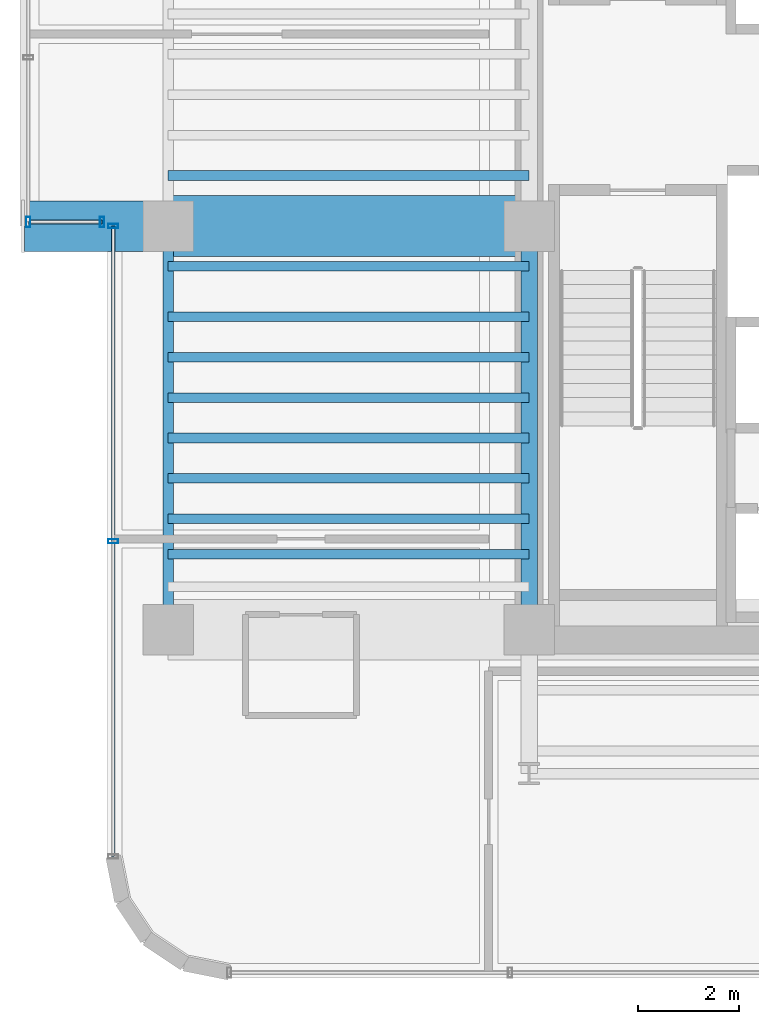
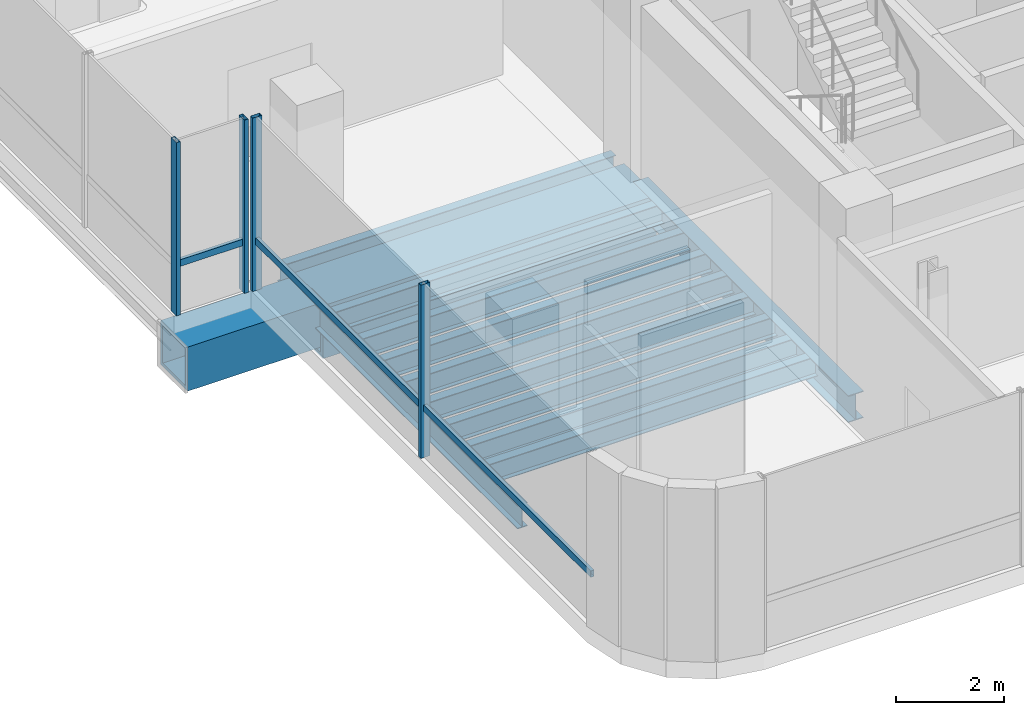
# One storey, part 4 of 37: 13 beams, 6 members, 2 elements without a shape of their own.
"""IFC4 building model written with IfcOpenShell, lengths in metres."""

from ifc_helpers import new_model, si_unit, direction, frame, origin, origin_2d, place, context, subcontext, project, spatial, hollow_rectangle, i_section, extrude, source, transform, mapped, material, material_profile, profile_set, type_object, element, aggregate, save


model = new_model("IFC4")

# Units and contexts
model_context = context("Model", 3, precision=1e-05, world=origin(), true_north=direction((0.0, 1.0)))
body_context = subcontext(model_context, "Body", "Model", "MODEL_VIEW")
ifc_project = project(units=[si_unit("LENGTHUNIT", "METRE"), si_unit("AREAUNIT", "SQUARE_METRE"), si_unit("VOLUMEUNIT", "CUBIC_METRE"), si_unit("PLANEANGLEUNIT", "RADIAN"), si_unit("MASSUNIT", "GRAM", prefix="KILO")], contexts=[model_context])

# Site, building, storey
site_placement = place(None, origin())
site = spatial("IfcSite", under=ifc_project, at=site_placement, CompositionType="ELEMENT")
building_placement = place(site_placement, origin())
building = spatial("IfcBuilding", under=site, at=building_placement, Name="Valdorenza Pilgrim Sanctuary Tower", CompositionType="ELEMENT")
storey_placement = place(building_placement, frame((0.0, 0.0, 172.300048828125)))
storey = spatial("IfcBuildingStorey", under=building, at=storey_placement, Name="L44", CompositionType="ELEMENT", Elevation=172.300048828125)

# Beams
ifc_material_1 = material(Name="Steel ASTM A992 Grade 50", Category="steel")
ifc_material_profile_1 = material_profile(ifc_material_1, i_section(OverallWidth=0.323974609375, OverallDepth=0.611083984375, WebThickness=0.0126953125, FlangeThickness=0.01904296875, at=origin_2d()), Name="W24X104")
ifc_profile_set_1 = profile_set([ifc_material_profile_1], Name="Steel ASTM A992 Grade 50")
beam_type_1 = type_object("IfcBeamType", Name="STR-BM-GRD-W24B", PredefinedType="BEAM", material=ifc_profile_set_1)
shared_shape_1 = source(origin(), body_context, "Body", "SweptSolid", [
    extrude(i_section(OverallWidth=0.323974609375, OverallDepth=0.611083984375, WebThickness=0.0126953125, FlangeThickness=0.01904296875, at=origin_2d()), origin(), (0.0, 0.0, 1.0), 8.0),
])
beam_1_placement = place(storey_placement, frame((-22.64990234375, -10.60009765625, -0.70556640625), z_axis=(0.0, 1.0, 0.0), x_axis=(-1.0, 0.0, 0.0)))
element("IfcBeam", 1, at=beam_1_placement, inside=storey, type_object=beam_type_1, Name="L44 Core Tie Girder CA-W-S1M0", PredefinedType="BEAM", context=body_context, shape_type="MappedRepresentation", body=[
    mapped(shared_shape_1, transform((0.0, 0.0, 0.0), x_axis=(1.0, 0.0, 0.0), y_axis=(0.0, 1.0, 0.0), z_axis=(0.0, 0.0, 1.0), scale=1.0)),
])
ifc_material_2 = material(Name="Steel ASTM A572 Grade 42", Category="steel")
ifc_material_profile_2 = material_profile(ifc_material_2, hollow_rectangle(XDim=1.199951171875, YDim=1.199951171875, WallThickness=0.090087890625, at=origin_2d()), Name="BOX 1200x1200x90")
ifc_profile_set_2 = profile_set([ifc_material_profile_2], Name="Steel ASTM A572 Grade 42")
beam_type_2 = type_object("IfcBeamType", Name="STR-BM-TRF-1200", PredefinedType="BEAM", material=ifc_profile_set_2)
shared_shape_2 = source(origin(), body_context, "Body", "SweptSolid", [
    extrude(hollow_rectangle(XDim=1.199951171875, YDim=1.199951171875, WallThickness=0.090087890625, at=origin_2d()), origin(), (0.0, 0.0, 1.0), 7.150146484375),
])
beam_2_placement = place(storey_placement, frame((-29.800048828125, -2.60009765625, -1.0), z_axis=(1.0, 0.0, 0.0), x_axis=(0.0, 1.0, 0.0)))
element("IfcBeam", 2, at=beam_2_placement, inside=storey, type_object=beam_type_2, Name="L44 Transfer Girder WA-XW-M0", PredefinedType="BEAM", context=body_context, shape_type="MappedRepresentation", body=[
    mapped(shared_shape_2, transform((0.0, 0.0, 0.0), x_axis=(1.0, 0.0, 0.0), y_axis=(0.0, 1.0, 0.0), z_axis=(0.0, 0.0, 1.0), scale=1.0)),
])
ifc_material_profile_3 = material_profile(ifc_material_1, i_section(OverallWidth=0.19091796875, OverallDepth=0.45703125, WebThickness=0.009033203125, FlangeThickness=0.014404296875, at=origin_2d()), Name="W18X50")
ifc_profile_set_3 = profile_set([ifc_material_profile_3], Name="Steel ASTM A992 Grade 50")
beam_type_3 = type_object("IfcBeamType", Name="STR-BM-JST-W18B", PredefinedType="JOIST", material=ifc_profile_set_3)
shared_shape_3 = source(origin(), body_context, "Body", "SweptSolid", [
    extrude(i_section(OverallWidth=0.19091796875, OverallDepth=0.45703125, WebThickness=0.009033203125, FlangeThickness=0.014404296875, at=origin_2d()), origin(), (0.0, 0.0, 1.0), 7.150146484375),
])
for number, where, z_axis, x_axis, name in (
    (3, (-29.800048828125, -9.10009765625, -0.628662109375), (1.0, 0.0, 0.0), (0.0, 1.0, 0.0), "L44 Composite Floor Joist JST-WA-2"),
    (4, (-29.800048828125, -8.39990234375, -0.628662109375), (1.0, 0.0, 0.0), (0.0, 1.0, 0.0), "L44 Composite Floor Joist JST-WA-3"),
    (5, (-29.800048828125, -7.60009765625, -0.628662109375), (1.0, 0.0, 0.0), (0.0, 1.0, 0.0), "L44 Composite Floor Joist JST-WA-4"),
    (6, (-29.800048828125, -6.800048828125, -0.628662109375), (1.0, 0.0, 0.0), (0.0, 1.0, 0.0), "L44 Composite Floor Joist JST-WA-5"),
    (7, (-29.800048828125, -6.0, -0.628662109375), (1.0, 0.0, 0.0), (0.0, 1.0, 0.0), "L44 Composite Floor Joist JST-WA-6"),
    (8, (-29.800048828125, -5.199951171875, -0.628662109375), (1.0, 0.0, 0.0), (0.0, 1.0, 0.0), "L44 Composite Floor Joist JST-WA-7"),
    (9, (-29.800048828125, -4.39990234375, -0.628662109375), (1.0, 0.0, 0.0), (0.0, 1.0, 0.0), "L44 Composite Floor Joist JST-WA-8"),
    (10, (-29.800048828125, -3.39990234375, -0.628662109375), (1.0, 0.0, 0.0), (0.0, 1.0, 0.0), "L44 Composite Floor Joist JST-WA-9"),
    (11, (-29.800048828125, -1.60009765625, -0.628662109375), (1.0, 0.0, 0.0), (0.0, 1.0, 0.0), "L44 Composite Floor Joist JST-WA-10"),
):
    element("IfcBeam", number, at=place(storey_placement, frame(where, z_axis=z_axis, x_axis=x_axis)), inside=storey, type_object=beam_type_3, Name=name, PredefinedType="JOIST", context=body_context, shape_type="MappedRepresentation", body=[
        mapped(shared_shape_3, transform((0.0, 0.0, 0.0), x_axis=(1.0, 0.0, 0.0), y_axis=(0.0, 1.0, 0.0), z_axis=(0.0, 0.0, 1.0), scale=1.0)),
    ])
ifc_material_profile_4 = material_profile(ifc_material_2, hollow_rectangle(XDim=1.0, YDim=1.0, WallThickness=0.080078125, at=origin_2d()), Name="BOX 1000x1000x80")
ifc_profile_set_4 = profile_set([ifc_material_profile_4], Name="Steel ASTM A572 Grade 42")
beam_type_4 = type_object("IfcBeamType", Name="STR-BM-PROW-CANT", PredefinedType="BEAM", material=ifc_profile_set_4)
shared_shape_4 = source(origin(), body_context, "Body", "SweptSolid", [
    extrude(hollow_rectangle(XDim=1.0, YDim=1.0, WallThickness=0.080078125, at=origin_2d()), origin(), (0.0, 0.0, 1.0), 2.849853515625),
])
beam_3_placement = place(storey_placement, frame((-29.800048828125, -2.60009765625, -0.900146484375), z_axis=(-1.0, 0.0, 0.0), x_axis=(0.0, -1.0, 0.0)))
element("IfcBeam", 12, at=beam_3_placement, inside=storey, type_object=beam_type_4, Name="L44 Glass Box Cantilever Beam BOX-WA-L44-CT-S", PredefinedType="BEAM", context=body_context, shape_type="MappedRepresentation", body=[
    mapped(shared_shape_4, transform((0.0, 0.0, 0.0), x_axis=(1.0, 0.0, 0.0), y_axis=(0.0, 1.0, 0.0), z_axis=(0.0, 0.0, 1.0), scale=1.0)),
])
ifc_material_profile_5 = material_profile(ifc_material_1, i_section(OverallWidth=0.2109375, OverallDepth=0.5390625, WebThickness=0.01171875, FlangeThickness=0.018798828125, at=origin_2d()), Name="W21X73")
ifc_profile_set_5 = profile_set([ifc_material_profile_5], Name="Steel ASTM A992 Grade 50")
beam_type_5 = type_object("IfcBeamType", Name="STR-BM-SPN-W21B", PredefinedType="SPANDREL", material=ifc_profile_set_5)
shared_shape_5 = source(origin(), body_context, "Body", "SweptSolid", [
    extrude(i_section(OverallWidth=0.2109375, OverallDepth=0.5390625, WebThickness=0.01171875, FlangeThickness=0.018798828125, at=origin_2d()), origin(), (0.0, 0.0, 1.0), 8.0),
])
beam_4_placement = place(storey_placement, frame((-29.800048828125, -10.60009765625, -0.66943359375), z_axis=(0.0, 1.0, 0.0), x_axis=(-1.0, 0.0, 0.0)))
element("IfcBeam", 13, at=beam_4_placement, inside=storey, type_object=beam_type_5, Name="L44 Spandrel Beam WA-W-S1M0", PredefinedType="SPANDREL", context=body_context, shape_type="MappedRepresentation", body=[
    mapped(shared_shape_5, transform((0.0, 0.0, 0.0), x_axis=(1.0, 0.0, 0.0), y_axis=(0.0, 1.0, 0.0), z_axis=(0.0, 0.0, 1.0), scale=1.0)),
])

# Curtain wall, member
ifc_material_3 = material(Name="Curtain-wall IGU glazing", Category="glass")
curtain_wall_type = type_object("IfcCurtainWallType", Name="CW-SYS-02", PredefinedType="NOTDEFINED", material=ifc_material_3)
curtain_wall_1_placement = place(storey_placement, origin())
curtain_wall_1 = element("IfcCurtainWall", 14, at=curtain_wall_1_placement, inside=storey, type_object=curtain_wall_type, Name="L44 Curtain Wall CW-L44-BOX-WA-L44-S", PredefinedType="NOTDEFINED")
ifc_material_4 = material(Name="Anodised aluminium AW-6060", Category="aluminium")
ifc_material_profile_6 = material_profile(ifc_material_4, hollow_rectangle(XDim=0.074951171875, YDim=0.14990234375, WallThickness=0.00390625, at=origin_2d()), Name="ALU-T 150x75x4")
ifc_profile_set_6 = profile_set([ifc_material_profile_6], Name="Anodised aluminium AW-6060")
member_type_1 = type_object("IfcMemberType", Name="CW-TRN-02", PredefinedType="USERDEFINED", material=ifc_profile_set_6)
shared_shape_6 = source(origin(), body_context, "Body", "SweptSolid", [
    extrude(hollow_rectangle(XDim=0.074951171875, YDim=0.14990234375, WallThickness=0.00390625, at=origin_2d()), origin(), (0.0, 0.0, 1.0), 1.4599609375),
])
member_1_placement = place(storey_placement, frame((-31.110107421875, -2.52001953125, 1.119873046875), z_axis=(-1.0, 0.0, 0.0), x_axis=(0.0, -1.0, 0.0)))
member_1 = element("IfcMember", 15, at=member_1_placement, type_object=member_type_1, Name="CW-L44-BOX-WA-L44-S Transom 1", ObjectType="TRANSOM", PredefinedType="USERDEFINED", context=body_context, shape_type="MappedRepresentation", body=[
    mapped(shared_shape_6, transform((0.0, 0.0, 0.0), x_axis=(1.0, 0.0, 0.0), y_axis=(0.0, 1.0, 0.0), z_axis=(0.0, 0.0, 1.0), scale=1.0)),
])

# Curtain wall, members
curtain_wall_2_placement = place(storey_placement, origin())
curtain_wall_2 = element("IfcCurtainWall", 16, at=curtain_wall_2_placement, inside=storey, type_object=curtain_wall_type, Name="L44 Curtain Wall CW-L44-1-1S1", PredefinedType="NOTDEFINED")
ifc_material_profile_7 = material_profile(ifc_material_4, hollow_rectangle(XDim=0.0849609375, YDim=0.199951171875, WallThickness=0.0048828125, at=origin_2d()), Name="ALU-M 200x85x5")
ifc_profile_set_7 = profile_set([ifc_material_profile_7], Name="Anodised aluminium AW-6060")
member_type_2 = type_object("IfcMemberType", Name="CW-MUL-02", PredefinedType="MULLION", material=ifc_profile_set_7)
shared_shape_7 = source(origin(), body_context, "Body", "SweptSolid", [
    extrude(hollow_rectangle(XDim=0.0849609375, YDim=0.199951171875, WallThickness=0.0048828125, at=origin_2d()), origin(), (0.0, 0.0, 1.0), 3.929931640625),
])
member_2_placement = place(storey_placement, frame((-30.889892578125, -8.844482421875, 0.0), z_axis=(0.0, 0.0, 1.0), x_axis=(0.0, 1.0, 0.0)))
member_2 = element("IfcMember", 17, at=member_2_placement, type_object=member_type_2, Name="CW-L44-1-1S1 Mullion 2", PredefinedType="MULLION", context=body_context, shape_type="MappedRepresentation", body=[
    mapped(shared_shape_7, transform((0.0, 0.0, 0.0), x_axis=(1.0, 0.0, 0.0), y_axis=(0.0, 1.0, 0.0), z_axis=(0.0, 0.0, 1.0), scale=1.0)),
])
member_3_placement = place(storey_placement, frame((-30.889892578125, -2.60009765625, 0.0), z_axis=(0.0, 0.0, 1.0), x_axis=(0.0, 1.0, 0.0)))
member_3 = element("IfcMember", 18, at=member_3_placement, type_object=member_type_2, Name="CW-L44-1-1S1 Mullion 3", PredefinedType="MULLION", context=body_context, shape_type="MappedRepresentation", body=[
    mapped(shared_shape_7, transform((0.0, 0.0, 0.0), x_axis=(1.0, 0.0, 0.0), y_axis=(0.0, 1.0, 0.0), z_axis=(0.0, 0.0, 1.0), scale=1.0)),
])

# Member
member_4_placement = place(storey_placement, frame((-31.110107421875, -2.52001953125, 0.0), z_axis=(0.0, 0.0, 1.0), x_axis=(-1.0, 0.0, 0.0)))
member_4 = element("IfcMember", 19, at=member_4_placement, type_object=member_type_2, Name="CW-L44-BOX-WA-L44-S Mullion 1", PredefinedType="MULLION", context=body_context, shape_type="MappedRepresentation", body=[
    mapped(shared_shape_7, transform((0.0, 0.0, 0.0), x_axis=(1.0, 0.0, 0.0), y_axis=(0.0, 1.0, 0.0), z_axis=(0.0, 0.0, 1.0), scale=1.0)),
])

member_5_placement = place(storey_placement, frame((-32.570068359375, -2.52001953125, 0.0), z_axis=(0.0, 0.0, 1.0), x_axis=(-1.0, 0.0, 0.0)))
member_5 = element("IfcMember", 20, at=member_5_placement, type_object=member_type_2, Name="CW-L44-BOX-WA-L44-S Mullion 2", PredefinedType="MULLION", context=body_context, shape_type="MappedRepresentation", body=[
    mapped(shared_shape_7, transform((0.0, 0.0, 0.0), x_axis=(1.0, 0.0, 0.0), y_axis=(0.0, 1.0, 0.0), z_axis=(0.0, 0.0, 1.0), scale=1.0)),
])

aggregate(curtain_wall_1, [member_4, member_5, member_1])

shared_shape_8 = source(origin(), body_context, "Body", "SweptSolid", [
    extrude(hollow_rectangle(XDim=0.074951171875, YDim=0.14990234375, WallThickness=0.00390625, at=origin_2d()), origin(), (0.0, 0.0, 1.0), 12.489013671875),
])
member_6_placement = place(storey_placement, frame((-30.889892578125, -15.089111328125, 1.119873046875), z_axis=(0.0, 1.0, 0.0), x_axis=(-1.0, 0.0, 0.0)))
member_6 = element("IfcMember", 21, at=member_6_placement, type_object=member_type_1, Name="CW-L44-1-1S1 Transom 1", ObjectType="TRANSOM", PredefinedType="USERDEFINED", context=body_context, shape_type="MappedRepresentation", body=[
    mapped(shared_shape_8, transform((0.0, 0.0, 0.0), x_axis=(1.0, 0.0, 0.0), y_axis=(0.0, 1.0, 0.0), z_axis=(0.0, 0.0, 1.0), scale=1.0)),
])

aggregate(curtain_wall_2, [member_2, member_3, member_6])

save(model, "model.ifc")
